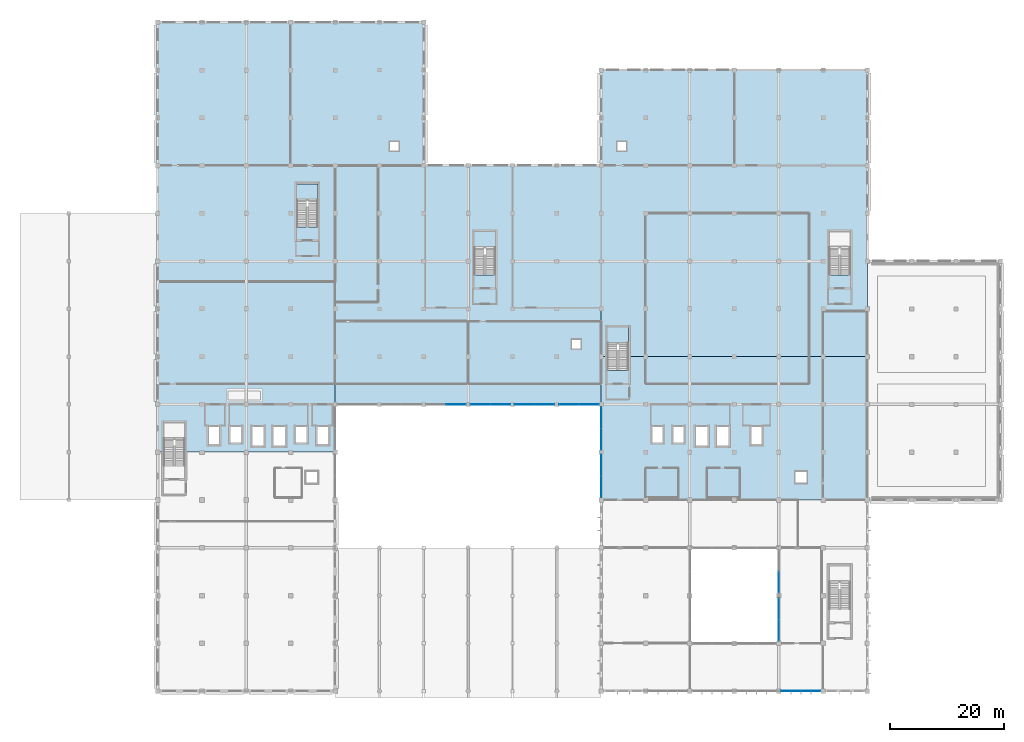
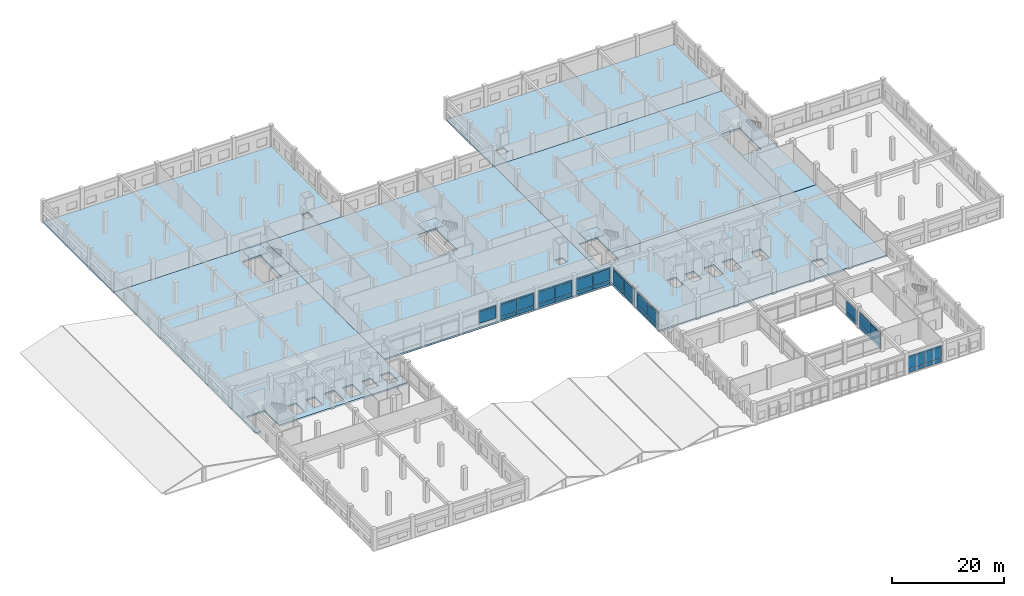
# One storey, part 37 of 62: 46 plates, 9 slabs, 12 elements without a shape of their own.
"""IFC4 building model written with IfcOpenShell, lengths in metres."""

import ifcopenshell
import ifcopenshell.guid

model = None  # the IFC model being written
_history = None  # IfcOwnerHistory: only IFC2X3 demands one
_inside = {}  # id of a spatial element -> (the spatial element, [elements in it])
_under = {}  # id of a project, library or spatial element -> (it, [spatial elements below it])
_declared = {}  # id of a project -> (the project, [libraries it declares])
_typed = {}  # id of a type object -> (the type object, [elements of that type])
_made_of = {}  # id of a material, layer set ... -> (it, [elements and type objects made of it])


def new_model(schema):
    """Start an empty IFC model of exactly this schema.

    Asked for "IFC4X3", IfcOpenShell would pick the latest addendum, in which some entities
    have other attributes; the version numbers below select the first issue.
    IFC2X3 requires an IfcOwnerHistory on every rooted entity: one is made here for all.
    """
    global model, _history
    if schema == "IFC4X3":
        model = ifcopenshell.file(schema_version=(4, 3, 0, 0))
    else:
        model = ifcopenshell.file(schema=schema)
    _inside.clear()
    _under.clear()
    _declared.clear()
    _typed.clear()
    _made_of.clear()
    _history = None
    if model.schema == "IFC2X3":
        org = make("IfcOrganization", Name="unknown")
        user = make(
            "IfcPersonAndOrganization",
            ThePerson=make("IfcPerson", FamilyName="unknown"),
            TheOrganization=org,
        )
        app = make(
            "IfcApplication",
            ApplicationDeveloper=org,
            Version="unknown",
            ApplicationFullName="unknown",
            ApplicationIdentifier="unknown",
        )
        _history = make(
            "IfcOwnerHistory",
            OwningUser=user,
            OwningApplication=app,
            ChangeAction="ADDED",
            CreationDate=0,
        )
    return model


def make(cls, **values):
    """One entity of the class cls with the attributes given. An attribute that is None is left unset."""
    return model.create_entity(
        cls, **{name: value for name, value in values.items() if value is not None}
    )


def rooted(cls, **values):
    """An entity with a GlobalId (a new one), such as an element, a storey or a relation."""
    return make(cls, GlobalId=ifcopenshell.guid.new(), OwnerHistory=_history, **values)


def si_unit(unit_type, name, prefix=None):
    """IfcSIUnit, for example si_unit("LENGTHUNIT", "METRE", prefix="MILLI")."""
    return make("IfcSIUnit", UnitType=unit_type, Prefix=prefix, Name=name)


def assignment(units):
    """IfcUnitAssignment: the units of a project."""
    return None if units is None else make("IfcUnitAssignment", Units=units)


def point(xyz):
    """IfcCartesianPoint."""
    return None if xyz is None else make("IfcCartesianPoint", Coordinates=xyz)


def direction(xyz):
    """IfcDirection."""
    return None if xyz is None else make("IfcDirection", DirectionRatios=xyz)


def frame(location, z_axis=None, x_axis=None):
    """IfcAxis2Placement3D, a coordinate frame: its origin and axes. An axis left out is left unset."""
    return make(
        "IfcAxis2Placement3D",
        Location=point(location),
        Axis=direction(z_axis),
        RefDirection=direction(x_axis),
    )


def frame_2d(location, x_axis=None):
    """IfcAxis2Placement2D, a coordinate frame in the plane: its origin and x axis."""
    return make(
        "IfcAxis2Placement2D", Location=point(location), RefDirection=direction(x_axis)
    )


def origin():
    """The frame at (0, 0, 0) with its axes left unset."""
    return frame((0.0, 0.0, 0.0))


def origin_2d():
    """The frame at (0, 0) in the plane with its x axis left unset."""
    return frame_2d((0.0, 0.0))


def place(relative_to, where):
    """IfcLocalPlacement: puts the frame where relative to a parent placement (None: the world)."""
    return make(
        "IfcLocalPlacement", PlacementRelTo=relative_to, RelativePlacement=where
    )


def context(
    kind, dimensions, precision=None, world=None, true_north=None, identifier=None
):
    """IfcGeometricRepresentationContext, for example the 3D "Model" context."""
    return make(
        "IfcGeometricRepresentationContext",
        ContextIdentifier=identifier,
        ContextType=kind,
        CoordinateSpaceDimension=dimensions,
        Precision=precision,
        WorldCoordinateSystem=world,
        TrueNorth=true_north,
    )


def subcontext(parent, identifier, kind, view, scale=None):
    """IfcGeometricRepresentationSubContext, for example "Body" below "Model"."""
    return make(
        "IfcGeometricRepresentationSubContext",
        ContextIdentifier=identifier,
        ContextType=kind,
        ParentContext=parent,
        TargetScale=scale,
        TargetView=view,
    )


def project(units=None, contexts=None):
    """IfcProject with its units and contexts."""
    return rooted(
        "IfcProject",
        Name="project",
        RepresentationContexts=contexts,
        UnitsInContext=assignment(units),
    )


def spatial(cls, under=None, at=None, **own):
    """A site, building, storey or space (cls), placed at a placement, below another one or the project."""
    s = rooted(cls, ObjectPlacement=at, **own)
    if under is not None:
        _under.setdefault(under.id(), (under, []))[1].append(s)
    return s


def polyline(points):
    """IfcPolyline through the points."""
    return make("IfcPolyline", Points=[point(p) for p in points])


def profile(cls, at=None, kind="AREA", **sizes):
    """A parametric profile (cls). Its sizes go by their IFC names, for example OverallWidth=200.0."""
    return make(cls, ProfileType=kind, Position=at, **sizes)


def rectangle(**sizes):
    """IfcRectangleProfileDef."""
    return profile("IfcRectangleProfileDef", **sizes)


def outline(outer, holes=None, kind="AREA"):
    """IfcArbitraryClosedProfileDef: a profile drawn as a closed curve; with holes, ...WithVoids."""
    if holes is None:
        return make("IfcArbitraryClosedProfileDef", ProfileType=kind, OuterCurve=outer)
    return make(
        "IfcArbitraryProfileDefWithVoids",
        ProfileType=kind,
        OuterCurve=outer,
        InnerCurves=holes,
    )


def extrude(swept, where, along, depth):
    """IfcExtrudedAreaSolid: the profile swept, set in the frame where, extruded along a direction by depth."""
    return make(
        "IfcExtrudedAreaSolid",
        SweptArea=swept,
        Position=where,
        ExtrudedDirection=direction(along),
        Depth=depth,
    )


def shape(context_of_items, identifier, shape_type, items):
    """IfcShapeRepresentation: the items that make up one representation, for example the "Body"."""
    return make(
        "IfcShapeRepresentation",
        ContextOfItems=context_of_items,
        RepresentationIdentifier=identifier,
        RepresentationType=shape_type,
        Items=items,
    )


def material(Name=None, Category=None):
    """IfcMaterial."""
    return make("IfcMaterial", Name=Name, Category=Category)


def layer(
    of_material, thickness, ventilated=None, Name=None, Category=None, Priority=None
):
    """IfcMaterialLayer: one layer of a wall or slab, of a material (None: an air gap)."""
    return make(
        "IfcMaterialLayer",
        Material=of_material,
        LayerThickness=thickness,
        IsVentilated=ventilated,
        Name=Name,
        Category=Category,
        Priority=Priority,
    )


def layer_set(layers, Name=None):
    """IfcMaterialLayerSet."""
    return make("IfcMaterialLayerSet", MaterialLayers=layers, LayerSetName=Name)


def made_of(thing, what):
    """Note that an element or type object is made of a material, layer set ...; save() writes the relation."""
    if what is not None:
        _made_of.setdefault(what.id(), (what, []))[1].append(thing)
    return thing


def type_object(cls, material=None, **own):
    """A type object (cls), such as IfcWallType, which elements share."""
    return made_of(rooted(cls, **own), material)


def element(
    cls,
    number,
    at=None,
    inside=None,
    cuts=None,
    type_object=None,
    material=None,
    context=None,
    identifier="Body",
    shape_type=None,
    held_by="IfcProductDefinitionShape",
    body=None,
    shapes=None,
    **own,
):
    """One element of the class cls, such as IfcWall. Its Tag is "e" and its number.

    at: its placement. inside: the storey or other place that contains it. cuts: it is an
    opening in that element (IfcRelVoidsElement). A single representation is given by context,
    identifier, shape_type and body (its items); several are given by shapes. held_by: the class
    of the entity that holds the representations. save() writes the other relations.
    """
    e = rooted(cls, Tag="e%d" % number, ObjectPlacement=at, **own)
    if body is not None:
        shapes = [shape(context, identifier, shape_type, body)]
    if shapes is not None:
        e.Representation = make(held_by, Representations=shapes)
    if inside is not None:
        _inside.setdefault(inside.id(), (inside, []))[1].append(e)
    if cuts is not None:
        rooted(
            "IfcRelVoidsElement", RelatingBuildingElement=cuts, RelatedOpeningElement=e
        )
    if type_object is not None:
        _typed.setdefault(type_object.id(), (type_object, []))[1].append(e)
    return made_of(e, material)


def aggregate(whole, parts):
    """IfcRelAggregates: a whole, such as a stair, and the parts it consists of."""
    return rooted("IfcRelAggregates", RelatingObject=whole, RelatedObjects=parts)


def save(model, path):
    """Write the relations noted so far, then the file.

    IfcRelAggregates (storeys below a building ...), IfcRelContainedInSpatialStructure (elements
    in a storey), IfcRelDefinesByType, IfcRelAssociatesMaterial and IfcRelDeclares: one each for
    every whole, place, type object, material and project.
    """
    for whole, parts in _under.values():
        aggregate(whole, parts)
    for where, things in _inside.values():
        rooted(
            "IfcRelContainedInSpatialStructure",
            RelatedElements=things,
            RelatingStructure=where,
        )
    for kind, things in _typed.values():
        rooted("IfcRelDefinesByType", RelatedObjects=things, RelatingType=kind)
    for what, things in _made_of.values():
        rooted("IfcRelAssociatesMaterial", RelatedObjects=things, RelatingMaterial=what)
    for by, libraries in _declared.values():
        rooted("IfcRelDeclares", RelatingContext=by, RelatedDefinitions=libraries)
    model.write(path)


model = new_model("IFC4")

# Units and contexts
model_context = context("Model", 3, precision=1e-05, world=origin(), true_north=direction((0.0, 1.0)))
body_context = subcontext(model_context, "Body", "Model", "MODEL_VIEW")
ifc_project = project(units=[si_unit("LENGTHUNIT", "METRE"), si_unit("AREAUNIT", "SQUARE_METRE"), si_unit("VOLUMEUNIT", "CUBIC_METRE"), si_unit("PLANEANGLEUNIT", "RADIAN"), si_unit("MASSUNIT", "GRAM", prefix="KILO"), si_unit("THERMODYNAMICTEMPERATUREUNIT", "KELVIN"), si_unit("POWERUNIT", "WATT")], contexts=[model_context])

# Site, building, storey
site_placement = place(None, origin())
site = spatial("IfcSite", under=ifc_project, at=site_placement, CompositionType="ELEMENT")
building_placement = place(site_placement, origin())
building = spatial("IfcBuilding", under=site, at=building_placement, Name="Srebrne Nadtorze General Hospital", CompositionType="ELEMENT")
storey_placement = place(building_placement, frame((0.0, 0.0, 9.60009765625)))
storey = spatial("IfcBuildingStorey", under=building, at=storey_placement, Name="L02", CompositionType="ELEMENT", Elevation=9.60009765625)

# Curtain wall, plates
ifc_material_1 = material(Name="Anodised Aluminium", Category="aluminium")
curtain_wall_type_1 = type_object("IfcCurtainWallType", Name="Unitised curtain wall 7000x3800", PredefinedType="NOTDEFINED", material=ifc_material_1)
curtain_wall_1_placement = place(storey_placement, origin())
curtain_wall_1 = element("IfcCurtainWall", 1, at=curtain_wall_1_placement, inside=storey, type_object=curtain_wall_type_1, Name="Curtain wall CW-071", PredefinedType="NOTDEFINED")
ifc_material_2 = material(Name="Triple Low-E Glazing", Category="glass")
ifc_layer_1 = layer(ifc_material_2, 0.050048828125)
ifc_layer_set_1 = layer_set([ifc_layer_1], Name="Triple Low-E Glazing")
plate_type = type_object("IfcPlateType", Name="Glazed curtain panel 50", PredefinedType="CURTAIN_PANEL", material=ifc_layer_set_1)
plate_1_placement = place(storey_placement, frame((134.766357421875, 0.0, 0.06494140625), z_axis=(0.0, 0.0, 1.0), x_axis=(1.0, 0.0, 0.0)))
plate_1 = element("IfcPlate", 2, at=plate_1_placement, type_object=plate_type, Name="CW-071 panel 1.1", PredefinedType="CURTAIN_PANEL", context=body_context, shape_type="SweptSolid", body=[
    extrude(rectangle(XDim=3.402587890625, YDim=0.050048828125, at=origin_2d()), origin(), (0.0, 0.0, 1.0), 0.75244140625),
])
plate_2_placement = place(storey_placement, frame((134.766357421875, 0.0, 0.88232421875), z_axis=(0.0, 0.0, 1.0), x_axis=(1.0, 0.0, 0.0)))
plate_2 = element("IfcPlate", 3, at=plate_2_placement, type_object=plate_type, Name="CW-071 panel 1.2", PredefinedType="CURTAIN_PANEL", context=body_context, shape_type="SweptSolid", body=[
    extrude(rectangle(XDim=3.402587890625, YDim=0.050048828125, at=origin_2d()), origin(), (0.0, 0.0, 1.0), 2.385009765625),
])
plate_3_placement = place(storey_placement, frame((134.766357421875, 0.0, 3.33251953125), z_axis=(0.0, 0.0, 1.0), x_axis=(1.0, 0.0, 0.0)))
plate_3 = element("IfcPlate", 4, at=plate_3_placement, type_object=plate_type, Name="CW-071 panel 1.3", PredefinedType="CURTAIN_PANEL", context=body_context, shape_type="SweptSolid", body=[
    extrude(rectangle(XDim=3.402587890625, YDim=0.050048828125, at=origin_2d()), origin(), (0.0, 0.0, 1.0), 0.402587890625),
])
plate_4_placement = place(storey_placement, frame((138.233642578125, 0.0, 0.06494140625), z_axis=(0.0, 0.0, 1.0), x_axis=(1.0, 0.0, 0.0)))
plate_4 = element("IfcPlate", 5, at=plate_4_placement, type_object=plate_type, Name="CW-071 panel 2.1", PredefinedType="CURTAIN_PANEL", context=body_context, shape_type="SweptSolid", body=[
    extrude(rectangle(XDim=3.402587890625, YDim=0.050048828125, at=origin_2d()), origin(), (0.0, 0.0, 1.0), 0.75244140625),
])
plate_5_placement = place(storey_placement, frame((138.233642578125, 0.0, 0.88232421875), z_axis=(0.0, 0.0, 1.0), x_axis=(1.0, 0.0, 0.0)))
plate_5 = element("IfcPlate", 6, at=plate_5_placement, type_object=plate_type, Name="CW-071 panel 2.2", PredefinedType="CURTAIN_PANEL", context=body_context, shape_type="SweptSolid", body=[
    extrude(rectangle(XDim=3.402587890625, YDim=0.050048828125, at=origin_2d()), origin(), (0.0, 0.0, 1.0), 2.385009765625),
])
plate_6_placement = place(storey_placement, frame((138.233642578125, 0.0, 3.33251953125), z_axis=(0.0, 0.0, 1.0), x_axis=(1.0, 0.0, 0.0)))
plate_6 = element("IfcPlate", 7, at=plate_6_placement, type_object=plate_type, Name="CW-071 panel 2.3", PredefinedType="CURTAIN_PANEL", context=body_context, shape_type="SweptSolid", body=[
    extrude(rectangle(XDim=3.402587890625, YDim=0.050048828125, at=origin_2d()), origin(), (0.0, 0.0, 1.0), 0.402587890625),
])
aggregate(curtain_wall_1, [plate_1, plate_2, plate_3, plate_4, plate_5, plate_6])

ifc_material_3 = material(Name="Anodised Aluminium", Category="aluminium")
curtain_wall_type_2 = type_object("IfcCurtainWallType", Name="Unitised curtain wall 7050x3800", PredefinedType="NOTDEFINED", material=ifc_material_3)
curtain_wall_2_placement = place(storey_placement, origin())
curtain_wall_2 = element("IfcCurtainWall", 8, at=curtain_wall_2_placement, inside=storey, type_object=curtain_wall_type_2, Name="Curtain wall CW-078", PredefinedType="NOTDEFINED")
plate_7_placement = place(storey_placement, frame((75.847412109375, 50.39990234375, 0.8798828125), z_axis=(0.0, 0.0, 1.0), x_axis=(1.0, 0.0, 0.0)))
plate_7 = element("IfcPlate", 9, at=plate_7_placement, type_object=plate_type, Name="CW-078 panel 2.2", PredefinedType="CURTAIN_PANEL", context=body_context, shape_type="SweptSolid", body=[
    extrude(rectangle(XDim=3.43505859375, YDim=0.050048828125, at=origin_2d()), origin(), (0.0, 0.0, 1.0), 2.389892578125),
])
plate_8_placement = place(storey_placement, frame((75.847412109375, 50.39990234375, 3.330078125), z_axis=(0.0, 0.0, 1.0), x_axis=(1.0, 0.0, 0.0)))
plate_8 = element("IfcPlate", 10, at=plate_8_placement, type_object=plate_type, Name="CW-078 panel 2.3", PredefinedType="CURTAIN_PANEL", context=body_context, shape_type="SweptSolid", body=[
    extrude(rectangle(XDim=3.43505859375, YDim=0.050048828125, at=origin_2d()), origin(), (0.0, 0.0, 1.0), 0.409912109375),
])
aggregate(curtain_wall_2, [plate_7, plate_8])

curtain_wall_3_placement = place(storey_placement, origin())
curtain_wall_3 = element("IfcCurtainWall", 11, at=curtain_wall_3_placement, inside=storey, type_object=curtain_wall_type_2, Name="Curtain wall CW-079", PredefinedType="NOTDEFINED")
plate_9_placement = place(storey_placement, frame((80.15380859375, 50.39990234375, 0.06494140625), z_axis=(0.0, 0.0, 1.0), x_axis=(1.0, 0.0, 0.0)))
plate_9 = element("IfcPlate", 12, at=plate_9_placement, type_object=plate_type, Name="CW-079 panel 1.1", PredefinedType="CURTAIN_PANEL", context=body_context, shape_type="SweptSolid", body=[
    extrude(rectangle(XDim=3.427490234375, YDim=0.050048828125, at=origin_2d()), origin(), (0.0, 0.0, 1.0), 0.75244140625),
])
plate_10_placement = place(storey_placement, frame((80.15380859375, 50.39990234375, 0.88232421875), z_axis=(0.0, 0.0, 1.0), x_axis=(1.0, 0.0, 0.0)))
plate_10 = element("IfcPlate", 13, at=plate_10_placement, type_object=plate_type, Name="CW-079 panel 1.2", PredefinedType="CURTAIN_PANEL", context=body_context, shape_type="SweptSolid", body=[
    extrude(rectangle(XDim=3.427490234375, YDim=0.050048828125, at=origin_2d()), origin(), (0.0, 0.0, 1.0), 2.385009765625),
])
plate_11_placement = place(storey_placement, frame((80.15380859375, 50.39990234375, 3.33251953125), z_axis=(0.0, 0.0, 1.0), x_axis=(1.0, 0.0, 0.0)))
plate_11 = element("IfcPlate", 14, at=plate_11_placement, type_object=plate_type, Name="CW-079 panel 1.3", PredefinedType="CURTAIN_PANEL", context=body_context, shape_type="SweptSolid", body=[
    extrude(rectangle(XDim=3.427490234375, YDim=0.050048828125, at=origin_2d()), origin(), (0.0, 0.0, 1.0), 0.402587890625),
])
plate_12_placement = place(storey_placement, frame((83.646240234375, 50.39990234375, 0.06494140625), z_axis=(0.0, 0.0, 1.0), x_axis=(1.0, 0.0, 0.0)))
plate_12 = element("IfcPlate", 15, at=plate_12_placement, type_object=plate_type, Name="CW-079 panel 2.1", PredefinedType="CURTAIN_PANEL", context=body_context, shape_type="SweptSolid", body=[
    extrude(rectangle(XDim=3.427490234375, YDim=0.050048828125, at=origin_2d()), origin(), (0.0, 0.0, 1.0), 0.75244140625),
])
plate_13_placement = place(storey_placement, frame((83.646240234375, 50.39990234375, 0.88232421875), z_axis=(0.0, 0.0, 1.0), x_axis=(1.0, 0.0, 0.0)))
plate_13 = element("IfcPlate", 16, at=plate_13_placement, type_object=plate_type, Name="CW-079 panel 2.2", PredefinedType="CURTAIN_PANEL", context=body_context, shape_type="SweptSolid", body=[
    extrude(rectangle(XDim=3.427490234375, YDim=0.050048828125, at=origin_2d()), origin(), (0.0, 0.0, 1.0), 2.385009765625),
])
plate_14_placement = place(storey_placement, frame((83.646240234375, 50.39990234375, 3.33251953125), z_axis=(0.0, 0.0, 1.0), x_axis=(1.0, 0.0, 0.0)))
plate_14 = element("IfcPlate", 17, at=plate_14_placement, type_object=plate_type, Name="CW-079 panel 2.3", PredefinedType="CURTAIN_PANEL", context=body_context, shape_type="SweptSolid", body=[
    extrude(rectangle(XDim=3.427490234375, YDim=0.050048828125, at=origin_2d()), origin(), (0.0, 0.0, 1.0), 0.402587890625),
])
aggregate(curtain_wall_3, [plate_9, plate_10, plate_11, plate_12, plate_13, plate_14])

curtain_wall_4_placement = place(storey_placement, origin())
curtain_wall_4 = element("IfcCurtainWall", 18, at=curtain_wall_4_placement, inside=storey, type_object=curtain_wall_type_2, Name="Curtain wall CW-080", PredefinedType="NOTDEFINED")
plate_15_placement = place(storey_placement, frame((87.952392578125, 50.39990234375, 0.06005859375), z_axis=(0.0, 0.0, 1.0), x_axis=(1.0, 0.0, 0.0)))
plate_15 = element("IfcPlate", 19, at=plate_15_placement, type_object=plate_type, Name="CW-080 panel 1.1", PredefinedType="CURTAIN_PANEL", context=body_context, shape_type="SweptSolid", body=[
    extrude(rectangle(XDim=3.43505859375, YDim=0.050048828125, at=origin_2d()), origin(), (0.0, 0.0, 1.0), 0.760009765625),
])
plate_16_placement = place(storey_placement, frame((87.952392578125, 50.39990234375, 0.8798828125), z_axis=(0.0, 0.0, 1.0), x_axis=(1.0, 0.0, 0.0)))
plate_16 = element("IfcPlate", 20, at=plate_16_placement, type_object=plate_type, Name="CW-080 panel 1.2", PredefinedType="CURTAIN_PANEL", context=body_context, shape_type="SweptSolid", body=[
    extrude(rectangle(XDim=3.43505859375, YDim=0.050048828125, at=origin_2d()), origin(), (0.0, 0.0, 1.0), 2.389892578125),
])
plate_17_placement = place(storey_placement, frame((87.952392578125, 50.39990234375, 3.330078125), z_axis=(0.0, 0.0, 1.0), x_axis=(1.0, 0.0, 0.0)))
plate_17 = element("IfcPlate", 21, at=plate_17_placement, type_object=plate_type, Name="CW-080 panel 1.3", PredefinedType="CURTAIN_PANEL", context=body_context, shape_type="SweptSolid", body=[
    extrude(rectangle(XDim=3.43505859375, YDim=0.050048828125, at=origin_2d()), origin(), (0.0, 0.0, 1.0), 0.409912109375),
])
plate_18_placement = place(storey_placement, frame((91.447509765625, 50.39990234375, 0.06005859375), z_axis=(0.0, 0.0, 1.0), x_axis=(1.0, 0.0, 0.0)))
plate_18 = element("IfcPlate", 22, at=plate_18_placement, type_object=plate_type, Name="CW-080 panel 2.1", PredefinedType="CURTAIN_PANEL", context=body_context, shape_type="SweptSolid", body=[
    extrude(rectangle(XDim=3.43505859375, YDim=0.050048828125, at=origin_2d()), origin(), (0.0, 0.0, 1.0), 0.760009765625),
])
plate_19_placement = place(storey_placement, frame((91.447509765625, 50.39990234375, 0.8798828125), z_axis=(0.0, 0.0, 1.0), x_axis=(1.0, 0.0, 0.0)))
plate_19 = element("IfcPlate", 23, at=plate_19_placement, type_object=plate_type, Name="CW-080 panel 2.2", PredefinedType="CURTAIN_PANEL", context=body_context, shape_type="SweptSolid", body=[
    extrude(rectangle(XDim=3.43505859375, YDim=0.050048828125, at=origin_2d()), origin(), (0.0, 0.0, 1.0), 2.389892578125),
])
plate_20_placement = place(storey_placement, frame((91.447509765625, 50.39990234375, 3.330078125), z_axis=(0.0, 0.0, 1.0), x_axis=(1.0, 0.0, 0.0)))
plate_20 = element("IfcPlate", 24, at=plate_20_placement, type_object=plate_type, Name="CW-080 panel 2.3", PredefinedType="CURTAIN_PANEL", context=body_context, shape_type="SweptSolid", body=[
    extrude(rectangle(XDim=3.43505859375, YDim=0.050048828125, at=origin_2d()), origin(), (0.0, 0.0, 1.0), 0.409912109375),
])
aggregate(curtain_wall_4, [plate_15, plate_16, plate_17, plate_18, plate_19, plate_20])

ifc_material_4 = material(Name="Anodised Aluminium", Category="aluminium")
curtain_wall_type_3 = type_object("IfcCurtainWallType", Name="Unitised curtain wall 7025x3800", PredefinedType="NOTDEFINED", material=ifc_material_4)
curtain_wall_5_placement = place(storey_placement, origin())
curtain_wall_5 = element("IfcCurtainWall", 25, at=curtain_wall_5_placement, inside=storey, type_object=curtain_wall_type_3, Name="Curtain wall CW-081", PredefinedType="NOTDEFINED")
plate_21_placement = place(storey_placement, frame((95.74755859375, 50.39990234375, 0.06494140625), z_axis=(0.0, 0.0, 1.0), x_axis=(1.0, 0.0, 0.0)))
plate_21 = element("IfcPlate", 26, at=plate_21_placement, type_object=plate_type, Name="CW-081 panel 1.1", PredefinedType="CURTAIN_PANEL", context=body_context, shape_type="SweptSolid", body=[
    extrude(rectangle(XDim=3.4150390625, YDim=0.050048828125, at=origin_2d()), origin(), (0.0, 0.0, 1.0), 0.75244140625),
])
plate_22_placement = place(storey_placement, frame((95.74755859375, 50.39990234375, 0.88232421875), z_axis=(0.0, 0.0, 1.0), x_axis=(1.0, 0.0, 0.0)))
plate_22 = element("IfcPlate", 27, at=plate_22_placement, type_object=plate_type, Name="CW-081 panel 1.2", PredefinedType="CURTAIN_PANEL", context=body_context, shape_type="SweptSolid", body=[
    extrude(rectangle(XDim=3.4150390625, YDim=0.050048828125, at=origin_2d()), origin(), (0.0, 0.0, 1.0), 2.385009765625),
])
plate_23_placement = place(storey_placement, frame((95.74755859375, 50.39990234375, 3.33251953125), z_axis=(0.0, 0.0, 1.0), x_axis=(1.0, 0.0, 0.0)))
plate_23 = element("IfcPlate", 28, at=plate_23_placement, type_object=plate_type, Name="CW-081 panel 1.3", PredefinedType="CURTAIN_PANEL", context=body_context, shape_type="SweptSolid", body=[
    extrude(rectangle(XDim=3.4150390625, YDim=0.050048828125, at=origin_2d()), origin(), (0.0, 0.0, 1.0), 0.402587890625),
])
plate_24_placement = place(storey_placement, frame((99.2275390625, 50.39990234375, 0.06494140625), z_axis=(0.0, 0.0, 1.0), x_axis=(1.0, 0.0, 0.0)))
plate_24 = element("IfcPlate", 29, at=plate_24_placement, type_object=plate_type, Name="CW-081 panel 2.1", PredefinedType="CURTAIN_PANEL", context=body_context, shape_type="SweptSolid", body=[
    extrude(rectangle(XDim=3.4150390625, YDim=0.050048828125, at=origin_2d()), origin(), (0.0, 0.0, 1.0), 0.75244140625),
])
plate_25_placement = place(storey_placement, frame((99.2275390625, 50.39990234375, 0.88232421875), z_axis=(0.0, 0.0, 1.0), x_axis=(1.0, 0.0, 0.0)))
plate_25 = element("IfcPlate", 30, at=plate_25_placement, type_object=plate_type, Name="CW-081 panel 2.2", PredefinedType="CURTAIN_PANEL", context=body_context, shape_type="SweptSolid", body=[
    extrude(rectangle(XDim=3.4150390625, YDim=0.050048828125, at=origin_2d()), origin(), (0.0, 0.0, 1.0), 2.385009765625),
])
plate_26_placement = place(storey_placement, frame((99.2275390625, 50.39990234375, 3.33251953125), z_axis=(0.0, 0.0, 1.0), x_axis=(1.0, 0.0, 0.0)))
plate_26 = element("IfcPlate", 31, at=plate_26_placement, type_object=plate_type, Name="CW-081 panel 2.3", PredefinedType="CURTAIN_PANEL", context=body_context, shape_type="SweptSolid", body=[
    extrude(rectangle(XDim=3.4150390625, YDim=0.050048828125, at=origin_2d()), origin(), (0.0, 0.0, 1.0), 0.402587890625),
])
aggregate(curtain_wall_5, [plate_21, plate_22, plate_23, plate_24, plate_25, plate_26])

ifc_material_5 = material(Name="Anodised Aluminium", Category="aluminium")
curtain_wall_type_4 = type_object("IfcCurtainWallType", Name="Unitised curtain wall 7600x3800", PredefinedType="NOTDEFINED", material=ifc_material_5)
curtain_wall_6_placement = place(storey_placement, origin())
curtain_wall_6 = element("IfcCurtainWall", 32, at=curtain_wall_6_placement, inside=storey, type_object=curtain_wall_type_4, Name="Curtain wall CW-084", PredefinedType="NOTDEFINED")
plate_27_placement = place(storey_placement, frame((101.39990234375, 35.9150390625, 0.06005859375), z_axis=(0.0, 0.0, 1.0), x_axis=(0.0, 1.0, 0.0)))
plate_27 = element("IfcPlate", 33, at=plate_27_placement, type_object=plate_type, Name="CW-084 panel 1.1", PredefinedType="CURTAIN_PANEL", context=body_context, shape_type="SweptSolid", body=[
    extrude(rectangle(XDim=3.7099609375, YDim=0.050048828125, at=origin_2d()), origin(), (0.0, 0.0, 1.0), 0.760009765625),
])
plate_28_placement = place(storey_placement, frame((101.39990234375, 35.9150390625, 0.8798828125), z_axis=(0.0, 0.0, 1.0), x_axis=(0.0, 1.0, 0.0)))
plate_28 = element("IfcPlate", 34, at=plate_28_placement, type_object=plate_type, Name="CW-084 panel 1.2", PredefinedType="CURTAIN_PANEL", context=body_context, shape_type="SweptSolid", body=[
    extrude(rectangle(XDim=3.7099609375, YDim=0.050048828125, at=origin_2d()), origin(), (0.0, 0.0, 1.0), 2.389892578125),
])
plate_29_placement = place(storey_placement, frame((101.39990234375, 35.9150390625, 3.330078125), z_axis=(0.0, 0.0, 1.0), x_axis=(0.0, 1.0, 0.0)))
plate_29 = element("IfcPlate", 35, at=plate_29_placement, type_object=plate_type, Name="CW-084 panel 1.3", PredefinedType="CURTAIN_PANEL", context=body_context, shape_type="SweptSolid", body=[
    extrude(rectangle(XDim=3.7099609375, YDim=0.050048828125, at=origin_2d()), origin(), (0.0, 0.0, 1.0), 0.409912109375),
])
plate_30_placement = place(storey_placement, frame((101.39990234375, 39.68505859375, 0.06005859375), z_axis=(0.0, 0.0, 1.0), x_axis=(0.0, 1.0, 0.0)))
plate_30 = element("IfcPlate", 36, at=plate_30_placement, type_object=plate_type, Name="CW-084 panel 2.1", PredefinedType="CURTAIN_PANEL", context=body_context, shape_type="SweptSolid", body=[
    extrude(rectangle(XDim=3.7099609375, YDim=0.050048828125, at=origin_2d()), origin(), (0.0, 0.0, 1.0), 0.760009765625),
])
plate_31_placement = place(storey_placement, frame((101.39990234375, 39.68505859375, 0.8798828125), z_axis=(0.0, 0.0, 1.0), x_axis=(0.0, 1.0, 0.0)))
plate_31 = element("IfcPlate", 37, at=plate_31_placement, type_object=plate_type, Name="CW-084 panel 2.2", PredefinedType="CURTAIN_PANEL", context=body_context, shape_type="SweptSolid", body=[
    extrude(rectangle(XDim=3.7099609375, YDim=0.050048828125, at=origin_2d()), origin(), (0.0, 0.0, 1.0), 2.389892578125),
])
plate_32_placement = place(storey_placement, frame((101.39990234375, 39.68505859375, 3.330078125), z_axis=(0.0, 0.0, 1.0), x_axis=(0.0, 1.0, 0.0)))
plate_32 = element("IfcPlate", 38, at=plate_32_placement, type_object=plate_type, Name="CW-084 panel 2.3", PredefinedType="CURTAIN_PANEL", context=body_context, shape_type="SweptSolid", body=[
    extrude(rectangle(XDim=3.7099609375, YDim=0.050048828125, at=origin_2d()), origin(), (0.0, 0.0, 1.0), 0.409912109375),
])
aggregate(curtain_wall_6, [plate_27, plate_28, plate_29, plate_30, plate_31, plate_32])

curtain_wall_7_placement = place(storey_placement, origin())
curtain_wall_7 = element("IfcCurtainWall", 39, at=curtain_wall_7_placement, inside=storey, type_object=curtain_wall_type_4, Name="Curtain wall CW-085", PredefinedType="NOTDEFINED")
plate_33_placement = place(storey_placement, frame((101.39990234375, 44.316162109375, 0.06494140625), z_axis=(0.0, 0.0, 1.0), x_axis=(0.0, 1.0, 0.0)))
plate_33 = element("IfcPlate", 40, at=plate_33_placement, type_object=plate_type, Name="CW-085 panel 1.1", PredefinedType="CURTAIN_PANEL", context=body_context, shape_type="SweptSolid", body=[
    extrude(rectangle(XDim=3.702392578125, YDim=0.050048828125, at=origin_2d()), origin(), (0.0, 0.0, 1.0), 0.75244140625),
])
plate_34_placement = place(storey_placement, frame((101.39990234375, 44.316162109375, 0.88232421875), z_axis=(0.0, 0.0, 1.0), x_axis=(0.0, 1.0, 0.0)))
plate_34 = element("IfcPlate", 41, at=plate_34_placement, type_object=plate_type, Name="CW-085 panel 1.2", PredefinedType="CURTAIN_PANEL", context=body_context, shape_type="SweptSolid", body=[
    extrude(rectangle(XDim=3.702392578125, YDim=0.050048828125, at=origin_2d()), origin(), (0.0, 0.0, 1.0), 2.385009765625),
])
plate_35_placement = place(storey_placement, frame((101.39990234375, 44.316162109375, 3.33251953125), z_axis=(0.0, 0.0, 1.0), x_axis=(0.0, 1.0, 0.0)))
plate_35 = element("IfcPlate", 42, at=plate_35_placement, type_object=plate_type, Name="CW-085 panel 1.3", PredefinedType="CURTAIN_PANEL", context=body_context, shape_type="SweptSolid", body=[
    extrude(rectangle(XDim=3.702392578125, YDim=0.050048828125, at=origin_2d()), origin(), (0.0, 0.0, 1.0), 0.402587890625),
])
plate_36_placement = place(storey_placement, frame((101.39990234375, 48.083740234375, 0.06494140625), z_axis=(0.0, 0.0, 1.0), x_axis=(0.0, 1.0, 0.0)))
plate_36 = element("IfcPlate", 43, at=plate_36_placement, type_object=plate_type, Name="CW-085 panel 2.1", PredefinedType="CURTAIN_PANEL", context=body_context, shape_type="SweptSolid", body=[
    extrude(rectangle(XDim=3.702392578125, YDim=0.050048828125, at=origin_2d()), origin(), (0.0, 0.0, 1.0), 0.75244140625),
])
plate_37_placement = place(storey_placement, frame((101.39990234375, 48.083740234375, 0.88232421875), z_axis=(0.0, 0.0, 1.0), x_axis=(0.0, 1.0, 0.0)))
plate_37 = element("IfcPlate", 44, at=plate_37_placement, type_object=plate_type, Name="CW-085 panel 2.2", PredefinedType="CURTAIN_PANEL", context=body_context, shape_type="SweptSolid", body=[
    extrude(rectangle(XDim=3.702392578125, YDim=0.050048828125, at=origin_2d()), origin(), (0.0, 0.0, 1.0), 2.385009765625),
])
plate_38_placement = place(storey_placement, frame((101.39990234375, 48.083740234375, 3.33251953125), z_axis=(0.0, 0.0, 1.0), x_axis=(0.0, 1.0, 0.0)))
plate_38 = element("IfcPlate", 45, at=plate_38_placement, type_object=plate_type, Name="CW-085 panel 2.3", PredefinedType="CURTAIN_PANEL", context=body_context, shape_type="SweptSolid", body=[
    extrude(rectangle(XDim=3.702392578125, YDim=0.050048828125, at=origin_2d()), origin(), (0.0, 0.0, 1.0), 0.402587890625),
])
aggregate(curtain_wall_7, [plate_33, plate_34, plate_35, plate_36, plate_37, plate_38])

curtain_wall_8_placement = place(storey_placement, origin())
curtain_wall_8 = element("IfcCurtainWall", 46, at=curtain_wall_8_placement, inside=storey, type_object=curtain_wall_type_4, Name="Curtain wall CW-088", PredefinedType="NOTDEFINED")
plate_39_placement = place(storey_placement, frame((132.60009765625, 10.715087890625, 0.06005859375), z_axis=(0.0, 0.0, 1.0), x_axis=(0.0, 1.0, 0.0)))
plate_39 = element("IfcPlate", 47, at=plate_39_placement, type_object=plate_type, Name="CW-088 panel 1.1", PredefinedType="CURTAIN_PANEL", context=body_context, shape_type="SweptSolid", body=[
    extrude(rectangle(XDim=3.7099609375, YDim=0.050048828125, at=origin_2d()), origin(), (0.0, 0.0, 1.0), 0.760009765625),
])
plate_40_placement = place(storey_placement, frame((132.60009765625, 10.715087890625, 0.8798828125), z_axis=(0.0, 0.0, 1.0), x_axis=(0.0, 1.0, 0.0)))
plate_40 = element("IfcPlate", 48, at=plate_40_placement, type_object=plate_type, Name="CW-088 panel 1.2", PredefinedType="CURTAIN_PANEL", context=body_context, shape_type="SweptSolid", body=[
    extrude(rectangle(XDim=3.7099609375, YDim=0.050048828125, at=origin_2d()), origin(), (0.0, 0.0, 1.0), 2.389892578125),
])
plate_41_placement = place(storey_placement, frame((132.60009765625, 10.715087890625, 3.330078125), z_axis=(0.0, 0.0, 1.0), x_axis=(0.0, 1.0, 0.0)))
plate_41 = element("IfcPlate", 49, at=plate_41_placement, type_object=plate_type, Name="CW-088 panel 1.3", PredefinedType="CURTAIN_PANEL", context=body_context, shape_type="SweptSolid", body=[
    extrude(rectangle(XDim=3.7099609375, YDim=0.050048828125, at=origin_2d()), origin(), (0.0, 0.0, 1.0), 0.409912109375),
])
plate_42_placement = place(storey_placement, frame((132.60009765625, 14.485107421875, 0.06005859375), z_axis=(0.0, 0.0, 1.0), x_axis=(0.0, 1.0, 0.0)))
plate_42 = element("IfcPlate", 50, at=plate_42_placement, type_object=plate_type, Name="CW-088 panel 2.1", PredefinedType="CURTAIN_PANEL", context=body_context, shape_type="SweptSolid", body=[
    extrude(rectangle(XDim=3.7099609375, YDim=0.050048828125, at=origin_2d()), origin(), (0.0, 0.0, 1.0), 0.760009765625),
])
plate_43_placement = place(storey_placement, frame((132.60009765625, 14.485107421875, 0.8798828125), z_axis=(0.0, 0.0, 1.0), x_axis=(0.0, 1.0, 0.0)))
plate_43 = element("IfcPlate", 51, at=plate_43_placement, type_object=plate_type, Name="CW-088 panel 2.2", PredefinedType="CURTAIN_PANEL", context=body_context, shape_type="SweptSolid", body=[
    extrude(rectangle(XDim=3.7099609375, YDim=0.050048828125, at=origin_2d()), origin(), (0.0, 0.0, 1.0), 2.389892578125),
])
plate_44_placement = place(storey_placement, frame((132.60009765625, 14.485107421875, 3.330078125), z_axis=(0.0, 0.0, 1.0), x_axis=(0.0, 1.0, 0.0)))
plate_44 = element("IfcPlate", 52, at=plate_44_placement, type_object=plate_type, Name="CW-088 panel 2.3", PredefinedType="CURTAIN_PANEL", context=body_context, shape_type="SweptSolid", body=[
    extrude(rectangle(XDim=3.7099609375, YDim=0.050048828125, at=origin_2d()), origin(), (0.0, 0.0, 1.0), 0.409912109375),
])
aggregate(curtain_wall_8, [plate_39, plate_40, plate_41, plate_42, plate_43, plate_44])

curtain_wall_9_placement = place(storey_placement, origin())
curtain_wall_9 = element("IfcCurtainWall", 53, at=curtain_wall_9_placement, inside=storey, type_object=curtain_wall_type_4, Name="Curtain wall CW-089", PredefinedType="NOTDEFINED")
plate_45_placement = place(storey_placement, frame((132.60009765625, 19.1162109375, 0.06494140625), z_axis=(0.0, 0.0, 1.0), x_axis=(0.0, 1.0, 0.0)))
plate_45 = element("IfcPlate", 54, at=plate_45_placement, type_object=plate_type, Name="CW-089 panel 1.1", PredefinedType="CURTAIN_PANEL", context=body_context, shape_type="SweptSolid", body=[
    extrude(rectangle(XDim=3.702392578125, YDim=0.050048828125, at=origin_2d()), origin(), (0.0, 0.0, 1.0), 0.75244140625),
])
plate_46_placement = place(storey_placement, frame((132.60009765625, 19.1162109375, 0.88232421875), z_axis=(0.0, 0.0, 1.0), x_axis=(0.0, 1.0, 0.0)))
plate_46 = element("IfcPlate", 55, at=plate_46_placement, type_object=plate_type, Name="CW-089 panel 1.2", PredefinedType="CURTAIN_PANEL", context=body_context, shape_type="SweptSolid", body=[
    extrude(rectangle(XDim=3.702392578125, YDim=0.050048828125, at=origin_2d()), origin(), (0.0, 0.0, 1.0), 2.385009765625),
])
aggregate(curtain_wall_9, [plate_45, plate_46])

# Stair, slab
ifc_material_6 = material(Name="Concrete C35/45", Category="concrete")
stair_type = type_object("IfcStairType", Name="Dog-leg escape stair 480", PredefinedType="HALF_TURN_STAIR", material=ifc_material_6)
stair_1_placement = place(storey_placement, origin())
stair_1 = element("IfcStair", 56, at=stair_1_placement, inside=storey, type_object=stair_type, Name="Escape stair ST-02-L02", PredefinedType="HALF_TURN_STAIR")
ifc_material_7 = material(Name="Concrete C35/45", Category="concrete")
ifc_layer_2 = layer(ifc_material_7, 0.219970703125)
ifc_layer_set_2 = layer_set([ifc_layer_2], Name="Concrete C35/45")
slab_type_1 = type_object("IfcSlabType", Name="Stair landing slab 220", PredefinedType="LANDING", material=ifc_layer_set_2)
slab_1_placement = place(storey_placement, frame((0.0, 0.0, 2.179931640625)))
slab_1 = element("IfcSlab", 57, at=slab_1_placement, type_object=slab_type_1, Name="ST-02 landing 1", PredefinedType="LANDING", context=body_context, shape_type="SweptSolid", body=[
    extrude(outline(polyline([(47.85009765625, 86.39990234375), (51.60009765625, 86.39990234375), (51.60009765625, 89.199951171875), (47.85009765625, 89.199951171875), (47.85009765625, 86.39990234375)])), origin(), (0.0, 0.0, 1.0), 0.219970703125),
])
aggregate(stair_1, [slab_1])

stair_2_placement = place(storey_placement, origin())
stair_2 = element("IfcStair", 58, at=stair_2_placement, inside=storey, type_object=stair_type, Name="Escape stair ST-03-L02", PredefinedType="HALF_TURN_STAIR")
slab_2_placement = place(storey_placement, frame((0.0, 0.0, 2.179931640625)))
slab_2 = element("IfcSlab", 59, at=slab_2_placement, type_object=slab_type_1, Name="ST-03 landing 1", PredefinedType="LANDING", context=body_context, shape_type="SweptSolid", body=[
    extrude(outline(polyline([(102.449951171875, 61.199951171875), (106.199951171875, 61.199951171875), (106.199951171875, 64.0), (102.449951171875, 64.0), (102.449951171875, 61.199951171875)])), origin(), (0.0, 0.0, 1.0), 0.219970703125),
])
aggregate(stair_2, [slab_2])

stair_3_placement = place(storey_placement, origin())
stair_3 = element("IfcStair", 60, at=stair_3_placement, inside=storey, type_object=stair_type, Name="Escape stair ST-07-L02", PredefinedType="HALF_TURN_STAIR")
slab_3_placement = place(storey_placement, frame((0.0, 0.0, 2.179931640625)))
slab_3 = element("IfcSlab", 61, at=slab_3_placement, type_object=slab_type_1, Name="ST-07 landing 1", PredefinedType="LANDING", context=body_context, shape_type="SweptSolid", body=[
    extrude(outline(polyline([(79.050048828125, 78.0), (82.800048828125, 78.0), (82.800048828125, 80.800048828125), (79.050048828125, 80.800048828125), (79.050048828125, 78.0)])), origin(), (0.0, 0.0, 1.0), 0.219970703125),
])
aggregate(stair_3, [slab_3])

# Slabs
ifc_material_8 = material(Name="Concrete C35/45", Category="concrete")
ifc_layer_3 = layer(ifc_material_8, 0.35009765625)
ifc_layer_set_3 = layer_set([ifc_layer_3], Name="Concrete C35/45")
slab_type_2 = type_object("IfcSlabType", Name="Suspended floor slab 350", PredefinedType="FLOOR", material=ifc_layer_set_3)
slab_4_placement = place(storey_placement, frame((0.0, 0.0, -0.35009765625)))
element("IfcSlab", 62, at=slab_4_placement, inside=storey, type_object=slab_type_2, Name="Suspended floor slab SL-L02-WN", PredefinedType="FLOOR", context=body_context, shape_type="SweptSolid", body=[
    extrude(outline(polyline([(24.449951171875, 42.0), (24.449951171875, 47.199951171875), (28.199951171875, 47.199951171875), (28.199951171875, 42.0), (54.60009765625, 42.0), (54.60009765625, 92.39990234375), (23.39990234375, 92.39990234375), (23.39990234375, 42.0), (24.449951171875, 42.0)]), holes=[polyline([(42.10009765625, 43.110107421875), (40.0, 43.110107421875), (40.0, 46.4599609375), (42.10009765625, 46.4599609375), (42.10009765625, 43.110107421875)]), polyline([(43.699951171875, 43.110107421875), (43.699951171875, 46.4599609375), (45.800048828125, 46.4599609375), (45.800048828125, 43.110107421875), (43.699951171875, 43.110107421875)]), polyline([(32.35009765625, 43.409912109375), (32.35009765625, 46.4599609375), (34.25, 46.4599609375), (34.25, 43.409912109375), (32.35009765625, 43.409912109375)]), polyline([(53.39990234375, 43.409912109375), (51.5, 43.409912109375), (51.5, 46.4599609375), (53.39990234375, 46.4599609375), (53.39990234375, 43.409912109375)]), polyline([(36.199951171875, 43.7099609375), (36.199951171875, 46.4599609375), (38.10009765625, 46.4599609375), (38.10009765625, 43.7099609375), (36.199951171875, 43.7099609375)]), polyline([(47.699951171875, 43.7099609375), (47.699951171875, 46.4599609375), (49.60009765625, 46.4599609375), (49.60009765625, 43.7099609375), (47.699951171875, 43.7099609375)]), polyline([(47.85009765625, 81.60498046875), (47.85009765625, 89.199951171875), (51.60009765625, 89.199951171875), (51.60009765625, 81.60498046875), (47.85009765625, 81.60498046875)])]), origin(), (0.0, 0.0, 1.0), 0.35009765625),
])
slab_5_placement = place(storey_placement, frame((0.0, 0.0, -0.35009765625)))
element("IfcSlab", 63, at=slab_5_placement, inside=storey, type_object=slab_type_2, Name="Suspended floor slab SL-L02-SUR", PredefinedType="FLOOR", context=body_context, shape_type="SweptSolid", body=[
    extrude(outline(polyline([(101.39990234375, 50.39990234375), (101.39990234375, 92.39990234375), (54.60009765625, 92.39990234375), (54.60009765625, 50.39990234375), (101.39990234375, 50.39990234375)]), holes=[polyline([(97.800048828125, 60.199951171875), (96.199951171875, 60.199951171875), (96.199951171875, 61.800048828125), (97.800048828125, 61.800048828125), (97.800048828125, 60.199951171875)]), polyline([(79.050048828125, 73.205078125), (79.050048828125, 80.800048828125), (82.800048828125, 80.800048828125), (82.800048828125, 73.205078125), (79.050048828125, 73.205078125)])]), origin(), (0.0, 0.0, 1.0), 0.35009765625),
])
slab_6_placement = place(storey_placement, frame((0.0, 0.0, -0.35009765625)))
element("IfcSlab", 64, at=slab_6_placement, inside=storey, type_object=slab_type_2, Name="Suspended floor slab SL-L02-NWB", PredefinedType="FLOOR", context=body_context, shape_type="SweptSolid", body=[
    extrude(outline(polyline([(70.199951171875, 92.39990234375), (70.199951171875, 117.60009765625), (23.39990234375, 117.60009765625), (23.39990234375, 92.39990234375), (70.199951171875, 92.39990234375)]), holes=[polyline([(65.800048828125, 95.0), (64.199951171875, 95.0), (64.199951171875, 96.60009765625), (65.800048828125, 96.60009765625), (65.800048828125, 95.0)])]), origin(), (0.0, 0.0, 1.0), 0.35009765625),
])
slab_7_placement = place(storey_placement, frame((0.0, 0.0, -0.35009765625)))
element("IfcSlab", 65, at=slab_7_placement, inside=storey, type_object=slab_type_2, Name="Suspended floor slab SL-L02-NEB", PredefinedType="FLOOR", context=body_context, shape_type="SweptSolid", body=[
    extrude(outline(polyline([(148.199951171875, 92.39990234375), (148.199951171875, 109.199951171875), (101.39990234375, 109.199951171875), (101.39990234375, 92.39990234375), (148.199951171875, 92.39990234375)]), holes=[polyline([(104.199951171875, 95.0), (104.199951171875, 96.60009765625), (105.800048828125, 96.60009765625), (105.800048828125, 95.0), (104.199951171875, 95.0)])]), origin(), (0.0, 0.0, 1.0), 0.35009765625),
])
slab_8_placement = place(storey_placement, frame((0.0, 0.0, -0.35009765625)))
element("IfcSlab", 66, at=slab_8_placement, inside=storey, type_object=slab_type_2, Name="Suspended floor slab SL-L02-ES", PredefinedType="FLOOR", context=body_context, shape_type="SweptSolid", body=[
    extrude(outline(polyline([(106.199951171875, 58.800048828125), (106.199951171875, 56.405029296875), (102.449951171875, 56.405029296875), (102.449951171875, 58.800048828125), (101.39990234375, 58.800048828125), (101.39990234375, 33.60009765625), (148.199951171875, 33.60009765625), (148.199951171875, 58.800048828125), (106.199951171875, 58.800048828125)]), holes=[polyline([(137.5, 36.60009765625), (135.5, 36.60009765625), (135.5, 38.60009765625), (137.5, 38.60009765625), (137.5, 36.60009765625)]), polyline([(118.0, 43.110107421875), (118.0, 46.4599609375), (120.10009765625, 46.4599609375), (120.10009765625, 43.110107421875), (118.0, 43.110107421875)]), polyline([(121.699951171875, 43.110107421875), (121.699951171875, 46.4599609375), (123.800048828125, 46.4599609375), (123.800048828125, 43.110107421875), (121.699951171875, 43.110107421875)]), polyline([(129.64990234375, 43.409912109375), (127.75, 43.409912109375), (127.75, 46.4599609375), (129.64990234375, 46.4599609375), (129.64990234375, 43.409912109375)]), polyline([(110.35009765625, 43.7099609375), (110.35009765625, 46.4599609375), (112.25, 46.4599609375), (112.25, 43.7099609375), (110.35009765625, 43.7099609375)]), polyline([(114.050048828125, 43.7099609375), (114.050048828125, 46.4599609375), (115.949951171875, 46.4599609375), (115.949951171875, 43.7099609375), (114.050048828125, 43.7099609375)])]), origin(), (0.0, 0.0, 1.0), 0.35009765625),
])
slab_9_placement = place(storey_placement, frame((0.0, 0.0, -0.35009765625)))
element("IfcSlab", 67, at=slab_9_placement, inside=storey, type_object=slab_type_2, Name="Suspended floor slab SL-L02-EN", PredefinedType="FLOOR", context=body_context, shape_type="SweptSolid", body=[
    extrude(outline(polyline([(102.449951171875, 58.800048828125), (102.449951171875, 64.0), (106.199951171875, 64.0), (106.199951171875, 58.800048828125), (148.199951171875, 58.800048828125), (148.199951171875, 92.39990234375), (101.39990234375, 92.39990234375), (101.39990234375, 58.800048828125), (102.449951171875, 58.800048828125)]), holes=[polyline([(141.449951171875, 73.205078125), (141.449951171875, 80.800048828125), (145.199951171875, 80.800048828125), (145.199951171875, 73.205078125), (141.449951171875, 73.205078125)])]), origin(), (0.0, 0.0, 1.0), 0.35009765625),
])

save(model, "model.ifc")
